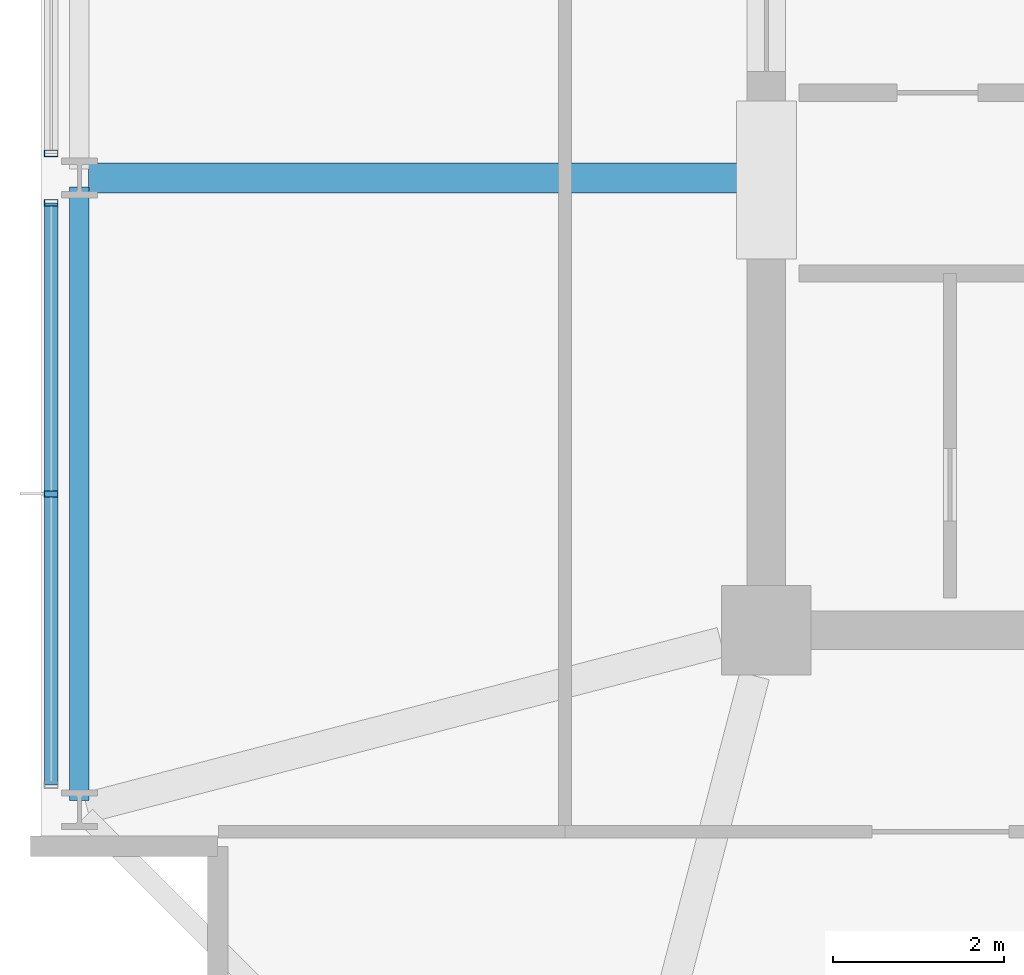
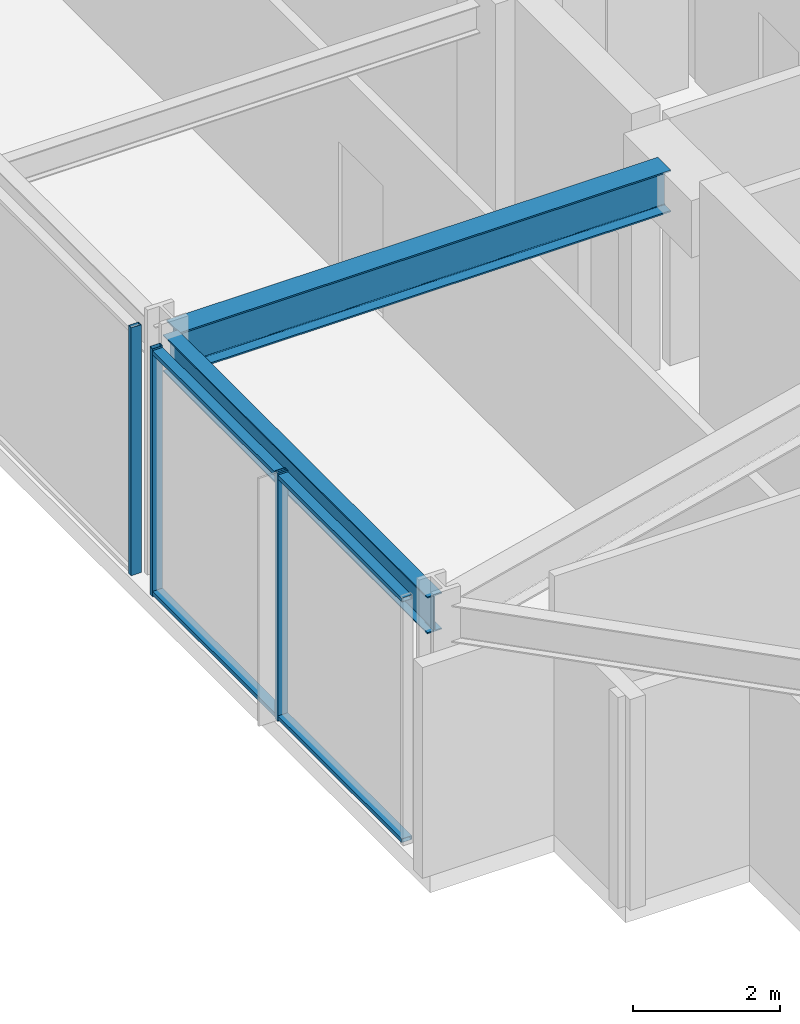
# One storey, part 4 of 26: 5 members, 2 beams, 2 elements without a shape of their own.
"""IFC4 building model written with IfcOpenShell, lengths in metres."""

from ifc_helpers import new_model, si_unit, direction, frame, origin, origin_2d, place, context, subcontext, project, spatial, hollow_rectangle, i_section, extrude, material, material_profile, profile_set, type_object, element, aggregate, save


model = new_model("IFC4")

# Units and contexts
model_context = context("Model", 3, precision=1e-05, world=origin(), true_north=direction((0.0, 1.0)))
body_context = subcontext(model_context, "Body", "Model", "MODEL_VIEW")
ifc_project = project(units=[si_unit("LENGTHUNIT", "METRE"), si_unit("AREAUNIT", "SQUARE_METRE"), si_unit("VOLUMEUNIT", "CUBIC_METRE"), si_unit("PLANEANGLEUNIT", "RADIAN"), si_unit("MASSUNIT", "GRAM", prefix="KILO")], contexts=[model_context])

# Site, building, storey
site_placement = place(None, origin())
site = spatial("IfcSite", under=ifc_project, at=site_placement, CompositionType="ELEMENT")
building_placement = place(site_placement, origin())
building = spatial("IfcBuilding", under=site, at=building_placement, Name="Kolvaren Belvedere", CompositionType="ELEMENT")
storey_placement = place(building_placement, frame((0.0, 0.0, 258.39990234375)))
storey = spatial("IfcBuildingStorey", under=building, at=storey_placement, Name="L75", CompositionType="ELEMENT", Elevation=258.39990234375)

# Beams
ifc_material_1 = material(Name="Structural steel ASTM A992 Grade 50", Category="steel")
ifc_material_profile_1 = material_profile(ifc_material_1, i_section(OverallWidth=0.35498046875, OverallDepth=0.696044921875, WebThickness=0.015380859375, FlangeThickness=0.02490234375, FilletRadius=0.02197265625, at=origin_2d()), Name="W27X146")
ifc_profile_set_1 = profile_set([ifc_material_profile_1], Name="Structural steel ASTM A992 Grade 50")
beam_type_1 = type_object("IfcBeamType", Name="BM-GIRD-W27X146", PredefinedType="BEAM", material=ifc_profile_set_1)
beam_1_placement = place(storey_placement, frame((-10.125, -4.60009765625, 3.772216796875), z_axis=(-1.0, 0.0, 0.0), x_axis=(0.0, -1.0, 0.0)))
element("IfcBeam", 1, at=beam_1_placement, inside=storey, type_object=beam_type_1, Name="L75 West Radial Girder M", PredefinedType="BEAM", context=body_context, shape_type="SweptSolid", body=[
    extrude(i_section(OverallWidth=0.35498046875, OverallDepth=0.696044921875, WebThickness=0.015380859375, FlangeThickness=0.02490234375, FilletRadius=0.02197265625, at=origin_2d()), origin(), (0.0, 0.0, 1.0), 7.720458984375),
])
ifc_material_2 = material(Name="Structural steel ASTM A992 Grade 50", Category="steel")
ifc_material_profile_2 = material_profile(ifc_material_2, i_section(OverallWidth=0.22900390625, OverallDepth=0.612060546875, WebThickness=0.011962890625, FlangeThickness=0.01953125, FilletRadius=0.01806640625, at=origin_2d()), Name="W24X84")
ifc_profile_set_2 = profile_set([ifc_material_profile_2], Name="Structural steel ASTM A992 Grade 50")
beam_type_2 = type_object("IfcBeamType", Name="BM-SPAN-W24X84", PredefinedType="SPANDREL", material=ifc_profile_set_2)
beam_2_placement = place(storey_placement, frame((-17.949951171875, -4.70458984375, 3.814208984375), z_axis=(0.0, -1.0, 0.0), x_axis=(1.0, 0.0, 0.0)))
element("IfcBeam", 2, at=beam_2_placement, inside=storey, type_object=beam_type_2, Name="L75 Perimeter Spandrel W2-W1", PredefinedType="SPANDREL", context=body_context, shape_type="SweptSolid", body=[
    extrude(i_section(OverallWidth=0.22900390625, OverallDepth=0.612060546875, WebThickness=0.011962890625, FlangeThickness=0.01953125, FilletRadius=0.01806640625, at=origin_2d()), origin(), (0.0, 0.0, 1.0), 7.19091796875),
])

# Curtain wall, members
ifc_material_3 = material(Name="Anodised pale-metal aluminium AA 6063-T6", Category="aluminium")
curtain_wall_type = type_object("IfcCurtainWallType", Name="CW-CRN-OBS", PredefinedType="NOTDEFINED", material=ifc_material_3)
curtain_wall_1_placement = place(storey_placement, origin())
curtain_wall_1 = element("IfcCurtainWall", 3, at=curtain_wall_1_placement, inside=storey, type_object=curtain_wall_type, Name="L75 Unitised Curtain Wall FCW-L75-W-B1", PredefinedType="NOTDEFINED")
ifc_material_4 = material(Name="Anodised pale-metal aluminium AA 6063-T6", Category="aluminium")
ifc_material_profile_3 = material_profile(ifc_material_4, hollow_rectangle(XDim=0.074951171875, YDim=0.159912109375, WallThickness=0.00439453125, at=origin_2d()), Name="ALU-MUL-160X75")
ifc_profile_set_3 = profile_set([ifc_material_profile_3], Name="Anodised pale-metal aluminium AA 6063-T6")
member_type_1 = type_object("IfcMemberType", Name="CW-MUL-160", PredefinedType="MULLION", material=ifc_profile_set_3)
member_1_placement = place(storey_placement, frame((-18.280029296875, -8.300048828125, 0.0), z_axis=(0.0, 0.0, 1.0), x_axis=(0.0, 1.0, 0.0)))
member_1 = element("IfcMember", 4, at=member_1_placement, type_object=member_type_1, Name="FCW-L75-W-B1 Unitised Mullion 2", PredefinedType="MULLION", context=body_context, shape_type="SweptSolid", body=[
    extrude(hollow_rectangle(XDim=0.074951171875, YDim=0.159912109375, WallThickness=0.00439453125, at=origin_2d()), origin(), (0.0, 0.0, 1.0), 4.1201171875),
])
member_2_placement = place(storey_placement, frame((-18.280029296875, -4.889892578125, 0.0), z_axis=(0.0, 0.0, 1.0), x_axis=(0.0, 1.0, 0.0)))
member_2 = element("IfcMember", 5, at=member_2_placement, type_object=member_type_1, Name="FCW-L75-W-B1 Unitised Mullion 3", PredefinedType="MULLION", context=body_context, shape_type="SweptSolid", body=[
    extrude(hollow_rectangle(XDim=0.074951171875, YDim=0.159912109375, WallThickness=0.00439453125, at=origin_2d()), origin(), (0.0, 0.0, 1.0), 4.1201171875),
])

# Curtain wall, member
curtain_wall_2_placement = place(storey_placement, origin())
curtain_wall_2 = element("IfcCurtainWall", 6, at=curtain_wall_2_placement, inside=storey, type_object=curtain_wall_type, Name="L75 Unitised Curtain Wall FCW-L75-W-B2", PredefinedType="NOTDEFINED")
member_3_placement = place(storey_placement, frame((-18.280029296875, -4.31005859375, 0.0), z_axis=(0.0, 0.0, 1.0), x_axis=(0.0, 1.0, 0.0)))
member_3 = element("IfcMember", 7, at=member_3_placement, type_object=member_type_1, Name="FCW-L75-W-B2 Unitised Mullion 1", PredefinedType="MULLION", context=body_context, shape_type="SweptSolid", body=[
    extrude(hollow_rectangle(XDim=0.074951171875, YDim=0.159912109375, WallThickness=0.00439453125, at=origin_2d()), origin(), (0.0, 0.0, 1.0), 4.1201171875),
])
aggregate(curtain_wall_2, [member_3])

# Member
ifc_material_5 = material(Name="Anodised pale-metal aluminium AA 6063-T6", Category="aluminium")
ifc_material_profile_4 = material_profile(ifc_material_5, hollow_rectangle(XDim=0.06494140625, YDim=0.159912109375, WallThickness=0.00390625, at=origin_2d()), Name="ALU-TRN-160X65")
ifc_profile_set_4 = profile_set([ifc_material_profile_4], Name="Anodised pale-metal aluminium AA 6063-T6")
member_type_2 = type_object("IfcMemberType", Name="CW-TRN-160", PredefinedType="USERDEFINED", material=ifc_profile_set_4)
member_4_placement = place(storey_placement, frame((-18.280029296875, -11.7099609375, 0.06005859375), z_axis=(0.0, 1.0, 0.0), x_axis=(0.0, 0.0, 1.0)))
member_4 = element("IfcMember", 8, at=member_4_placement, type_object=member_type_2, Name="FCW-L75-W-B1 Sill Transom", ObjectType="TRANSOM", PredefinedType="USERDEFINED", context=body_context, shape_type="SweptSolid", body=[
    extrude(hollow_rectangle(XDim=0.06494140625, YDim=0.159912109375, WallThickness=0.00390625, at=origin_2d()), origin(), (0.0, 0.0, 1.0), 6.820068359375),
])

member_5_placement = place(storey_placement, frame((-18.280029296875, -11.7099609375, 4.06005859375), z_axis=(0.0, 1.0, 0.0), x_axis=(0.0, 0.0, 1.0)))
member_5 = element("IfcMember", 9, at=member_5_placement, type_object=member_type_2, Name="FCW-L75-W-B1 Head Transom", ObjectType="TRANSOM", PredefinedType="USERDEFINED", context=body_context, shape_type="SweptSolid", body=[
    extrude(hollow_rectangle(XDim=0.06494140625, YDim=0.159912109375, WallThickness=0.00390625, at=origin_2d()), origin(), (0.0, 0.0, 1.0), 6.820068359375),
])

aggregate(curtain_wall_1, [member_1, member_2, member_4, member_5])

save(model, "model.ifc")
